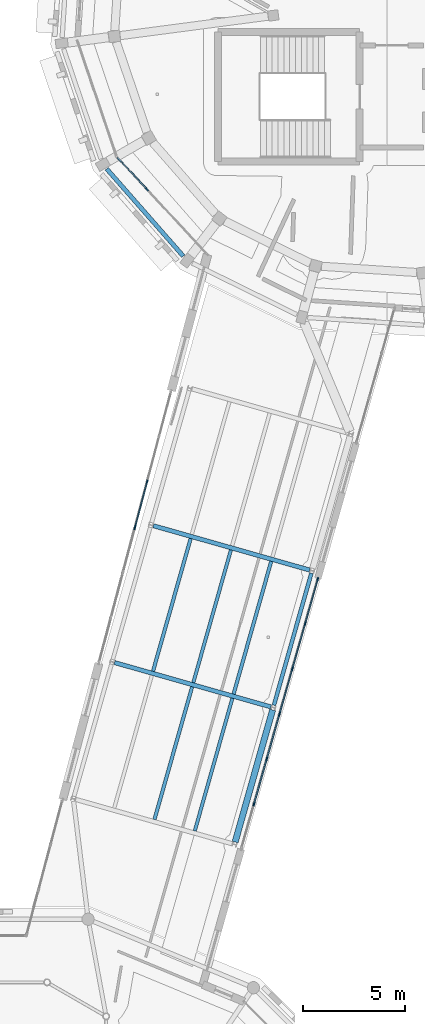
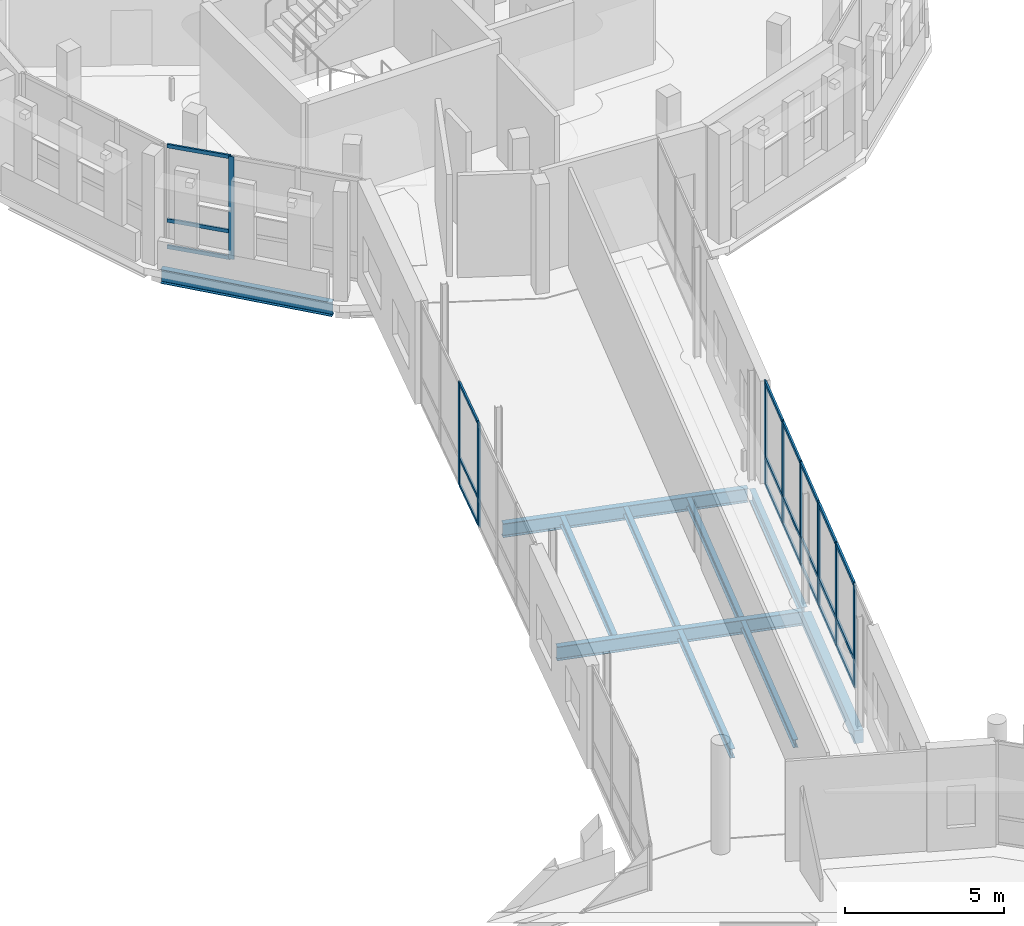
# One storey, part 61 of 125: 32 members, 10 beams, 5 elements without a shape of their own.
"""IFC4 building model written with IfcOpenShell, lengths in metres."""

import ifcopenshell
import ifcopenshell.guid

model = None  # the IFC model being written
_history = None  # IfcOwnerHistory: only IFC2X3 demands one
_inside = {}  # id of a spatial element -> (the spatial element, [elements in it])
_under = {}  # id of a project, library or spatial element -> (it, [spatial elements below it])
_declared = {}  # id of a project -> (the project, [libraries it declares])
_typed = {}  # id of a type object -> (the type object, [elements of that type])
_made_of = {}  # id of a material, layer set ... -> (it, [elements and type objects made of it])


def new_model(schema):
    """Start an empty IFC model of exactly this schema.

    Asked for "IFC4X3", IfcOpenShell would pick the latest addendum, in which some entities
    have other attributes; the version numbers below select the first issue.
    IFC2X3 requires an IfcOwnerHistory on every rooted entity: one is made here for all.
    """
    global model, _history
    if schema == "IFC4X3":
        model = ifcopenshell.file(schema_version=(4, 3, 0, 0))
    else:
        model = ifcopenshell.file(schema=schema)
    _inside.clear()
    _under.clear()
    _declared.clear()
    _typed.clear()
    _made_of.clear()
    _history = None
    if model.schema == "IFC2X3":
        org = make("IfcOrganization", Name="unknown")
        user = make(
            "IfcPersonAndOrganization",
            ThePerson=make("IfcPerson", FamilyName="unknown"),
            TheOrganization=org,
        )
        app = make(
            "IfcApplication",
            ApplicationDeveloper=org,
            Version="unknown",
            ApplicationFullName="unknown",
            ApplicationIdentifier="unknown",
        )
        _history = make(
            "IfcOwnerHistory",
            OwningUser=user,
            OwningApplication=app,
            ChangeAction="ADDED",
            CreationDate=0,
        )
    return model


def make(cls, **values):
    """One entity of the class cls with the attributes given. An attribute that is None is left unset."""
    return model.create_entity(
        cls, **{name: value for name, value in values.items() if value is not None}
    )


def rooted(cls, **values):
    """An entity with a GlobalId (a new one), such as an element, a storey or a relation."""
    return make(cls, GlobalId=ifcopenshell.guid.new(), OwnerHistory=_history, **values)


def si_unit(unit_type, name, prefix=None):
    """IfcSIUnit, for example si_unit("LENGTHUNIT", "METRE", prefix="MILLI")."""
    return make("IfcSIUnit", UnitType=unit_type, Prefix=prefix, Name=name)


def assignment(units):
    """IfcUnitAssignment: the units of a project."""
    return None if units is None else make("IfcUnitAssignment", Units=units)


def point(xyz):
    """IfcCartesianPoint."""
    return None if xyz is None else make("IfcCartesianPoint", Coordinates=xyz)


def direction(xyz):
    """IfcDirection."""
    return None if xyz is None else make("IfcDirection", DirectionRatios=xyz)


def frame(location, z_axis=None, x_axis=None):
    """IfcAxis2Placement3D, a coordinate frame: its origin and axes. An axis left out is left unset."""
    return make(
        "IfcAxis2Placement3D",
        Location=point(location),
        Axis=direction(z_axis),
        RefDirection=direction(x_axis),
    )


def frame_2d(location, x_axis=None):
    """IfcAxis2Placement2D, a coordinate frame in the plane: its origin and x axis."""
    return make(
        "IfcAxis2Placement2D", Location=point(location), RefDirection=direction(x_axis)
    )


def origin():
    """The frame at (0, 0, 0) with its axes left unset."""
    return frame((0.0, 0.0, 0.0))


def origin_2d():
    """The frame at (0, 0) in the plane with its x axis left unset."""
    return frame_2d((0.0, 0.0))


def place(relative_to, where):
    """IfcLocalPlacement: puts the frame where relative to a parent placement (None: the world)."""
    return make(
        "IfcLocalPlacement", PlacementRelTo=relative_to, RelativePlacement=where
    )


def context(
    kind, dimensions, precision=None, world=None, true_north=None, identifier=None
):
    """IfcGeometricRepresentationContext, for example the 3D "Model" context."""
    return make(
        "IfcGeometricRepresentationContext",
        ContextIdentifier=identifier,
        ContextType=kind,
        CoordinateSpaceDimension=dimensions,
        Precision=precision,
        WorldCoordinateSystem=world,
        TrueNorth=true_north,
    )


def subcontext(parent, identifier, kind, view, scale=None):
    """IfcGeometricRepresentationSubContext, for example "Body" below "Model"."""
    return make(
        "IfcGeometricRepresentationSubContext",
        ContextIdentifier=identifier,
        ContextType=kind,
        ParentContext=parent,
        TargetScale=scale,
        TargetView=view,
    )


def project(units=None, contexts=None):
    """IfcProject with its units and contexts."""
    return rooted(
        "IfcProject",
        Name="project",
        RepresentationContexts=contexts,
        UnitsInContext=assignment(units),
    )


def spatial(cls, under=None, at=None, **own):
    """A site, building, storey or space (cls), placed at a placement, below another one or the project."""
    s = rooted(cls, ObjectPlacement=at, **own)
    if under is not None:
        _under.setdefault(under.id(), (under, []))[1].append(s)
    return s


def profile(cls, at=None, kind="AREA", **sizes):
    """A parametric profile (cls). Its sizes go by their IFC names, for example OverallWidth=200.0."""
    return make(cls, ProfileType=kind, Position=at, **sizes)


def rectangle(**sizes):
    """IfcRectangleProfileDef."""
    return profile("IfcRectangleProfileDef", **sizes)


def i_section(**sizes):
    """IfcIShapeProfileDef."""
    return profile("IfcIShapeProfileDef", **sizes)


def extrude(swept, where, along, depth):
    """IfcExtrudedAreaSolid: the profile swept, set in the frame where, extruded along a direction by depth."""
    return make(
        "IfcExtrudedAreaSolid",
        SweptArea=swept,
        Position=where,
        ExtrudedDirection=direction(along),
        Depth=depth,
    )


def shape(context_of_items, identifier, shape_type, items):
    """IfcShapeRepresentation: the items that make up one representation, for example the "Body"."""
    return make(
        "IfcShapeRepresentation",
        ContextOfItems=context_of_items,
        RepresentationIdentifier=identifier,
        RepresentationType=shape_type,
        Items=items,
    )


def material(Name=None, Category=None):
    """IfcMaterial."""
    return make("IfcMaterial", Name=Name, Category=Category)


def material_profile(
    of_material, cross_section, Name=None, Category=None, Priority=None
):
    """IfcMaterialProfile: a cross section and its material."""
    return make(
        "IfcMaterialProfile",
        Name=Name,
        Material=of_material,
        Profile=cross_section,
        Priority=Priority,
        Category=Category,
    )


def profile_set(profiles, Name=None, composite=None):
    """IfcMaterialProfileSet."""
    return make(
        "IfcMaterialProfileSet",
        Name=Name,
        MaterialProfiles=profiles,
        CompositeProfile=composite,
    )


def made_of(thing, what):
    """Note that an element or type object is made of a material, layer set ...; save() writes the relation."""
    if what is not None:
        _made_of.setdefault(what.id(), (what, []))[1].append(thing)
    return thing


def type_object(cls, material=None, **own):
    """A type object (cls), such as IfcWallType, which elements share."""
    return made_of(rooted(cls, **own), material)


def element(
    cls,
    number,
    at=None,
    inside=None,
    cuts=None,
    type_object=None,
    material=None,
    context=None,
    identifier="Body",
    shape_type=None,
    held_by="IfcProductDefinitionShape",
    body=None,
    shapes=None,
    **own,
):
    """One element of the class cls, such as IfcWall. Its Tag is "e" and its number.

    at: its placement. inside: the storey or other place that contains it. cuts: it is an
    opening in that element (IfcRelVoidsElement). A single representation is given by context,
    identifier, shape_type and body (its items); several are given by shapes. held_by: the class
    of the entity that holds the representations. save() writes the other relations.
    """
    e = rooted(cls, Tag="e%d" % number, ObjectPlacement=at, **own)
    if body is not None:
        shapes = [shape(context, identifier, shape_type, body)]
    if shapes is not None:
        e.Representation = make(held_by, Representations=shapes)
    if inside is not None:
        _inside.setdefault(inside.id(), (inside, []))[1].append(e)
    if cuts is not None:
        rooted(
            "IfcRelVoidsElement", RelatingBuildingElement=cuts, RelatedOpeningElement=e
        )
    if type_object is not None:
        _typed.setdefault(type_object.id(), (type_object, []))[1].append(e)
    return made_of(e, material)


def aggregate(whole, parts):
    """IfcRelAggregates: a whole, such as a stair, and the parts it consists of."""
    return rooted("IfcRelAggregates", RelatingObject=whole, RelatedObjects=parts)


def save(model, path):
    """Write the relations noted so far, then the file.

    IfcRelAggregates (storeys below a building ...), IfcRelContainedInSpatialStructure (elements
    in a storey), IfcRelDefinesByType, IfcRelAssociatesMaterial and IfcRelDeclares: one each for
    every whole, place, type object, material and project.
    """
    for whole, parts in _under.values():
        aggregate(whole, parts)
    for where, things in _inside.values():
        rooted(
            "IfcRelContainedInSpatialStructure",
            RelatedElements=things,
            RelatingStructure=where,
        )
    for kind, things in _typed.values():
        rooted("IfcRelDefinesByType", RelatedObjects=things, RelatingType=kind)
    for what, things in _made_of.values():
        rooted("IfcRelAssociatesMaterial", RelatedObjects=things, RelatingMaterial=what)
    for by, libraries in _declared.values():
        rooted("IfcRelDeclares", RelatingContext=by, RelatedDefinitions=libraries)
    model.write(path)


model = new_model("IFC4")

# Units and contexts
model_context = context("Model", 3, precision=1e-05, world=origin(), true_north=direction((0.0, 1.0)))
body_context = subcontext(model_context, "Body", "Model", "MODEL_VIEW")
ifc_project = project(units=[si_unit("LENGTHUNIT", "METRE"), si_unit("AREAUNIT", "SQUARE_METRE"), si_unit("VOLUMEUNIT", "CUBIC_METRE"), si_unit("PLANEANGLEUNIT", "RADIAN"), si_unit("MASSUNIT", "GRAM", prefix="KILO")], contexts=[model_context])

# Site, building, storey
site_placement = place(None, origin())
site = spatial("IfcSite", under=ifc_project, at=site_placement, CompositionType="ELEMENT")
building_placement = place(site_placement, origin())
building = spatial("IfcBuilding", under=site, at=building_placement, Name="Wrenclough Park School", CompositionType="ELEMENT")
storey_placement = place(building_placement, frame((0.0, 0.0, 4.199951171875)))
storey = spatial("IfcBuildingStorey", under=building, at=storey_placement, Name="L01", CompositionType="ELEMENT", Elevation=4.199951171875)

# Curtain wall, members
ifc_material_1 = material(Name="Thermally broken aluminium and low-e glass curtain wall", Category="aluminium")
curtain_wall_type_1 = type_object("IfcCurtainWallType", Name="ENV-CW-13", PredefinedType="USERDEFINED", material=ifc_material_1)
curtain_wall_1_placement = place(storey_placement, origin())
curtain_wall_1 = element("IfcCurtainWall", 1, at=curtain_wall_1_placement, inside=storey, type_object=curtain_wall_type_1, Name="L01 recessed curtain wall assembly 156", ObjectType="CURTAIN WALL", PredefinedType="USERDEFINED")
ifc_material_2 = material(Name="Thermally broken anodised aluminium", Category="aluminium")
ifc_material_profile_1 = material_profile(ifc_material_2, rectangle(XDim=0.06005859375, YDim=0.159912109375, at=origin_2d()), Name="AL MULLION 60x160")
ifc_profile_set_1 = profile_set([ifc_material_profile_1], Name="Thermally broken anodised aluminium")
member_type_1 = type_object("IfcMemberType", Name="ENV-CWM-1", PredefinedType="MULLION", material=ifc_profile_set_1)
member_1_placement = place(storey_placement, frame((162.18603515625, 67.754638671875, 0.0), z_axis=(0.0, 0.0, 1.0), x_axis=(-0.966438093709, 0.256899612745, 0.0)))
member_1 = element("IfcMember", 2, at=member_1_placement, type_object=member_type_1, Name="CW-13 mullion 1", PredefinedType="MULLION", context=body_context, shape_type="SweptSolid", body=[
    extrude(rectangle(XDim=0.06005859375, YDim=0.159912109375, at=origin_2d()), origin(), (0.0, 0.0, 1.0), 3.93994140625),
])
member_2_placement = place(storey_placement, frame((162.7685546875, 69.9462890625, 0.0), z_axis=(0.0, 0.0, 1.0), x_axis=(-0.966438093709, 0.256899612745, 0.0)))
member_2 = element("IfcMember", 3, at=member_2_placement, type_object=member_type_1, Name="CW-13 mullion 2", PredefinedType="MULLION", context=body_context, shape_type="SweptSolid", body=[
    extrude(rectangle(XDim=0.06005859375, YDim=0.159912109375, at=origin_2d()), origin(), (0.0, 0.0, 1.0), 3.93994140625),
])

curtain_wall_type_2 = type_object("IfcCurtainWallType", Name="ENV-CW-10", PredefinedType="USERDEFINED", material=ifc_material_1)
curtain_wall_2_placement = place(storey_placement, origin())
curtain_wall_2 = element("IfcCurtainWall", 4, at=curtain_wall_2_placement, inside=storey, type_object=curtain_wall_type_2, Name="L01 recessed curtain wall assembly 121", ObjectType="CURTAIN WALL", PredefinedType="USERDEFINED")
ifc_material_profile_2 = material_profile(ifc_material_2, rectangle(XDim=0.06494140625, YDim=0.179931640625, at=origin_2d()), Name="AL MULLION 65x180")
ifc_profile_set_2 = profile_set([ifc_material_profile_2], Name="Thermally broken anodised aluminium")
member_type_2 = type_object("IfcMemberType", Name="ENV-CWM-2", PredefinedType="MULLION", material=ifc_profile_set_2)
member_3_placement = place(storey_placement, frame((171.122314453125, 65.167724609375, 0.0), z_axis=(0.0, 0.0, 1.0), x_axis=(0.962063363218, -0.272826107905, 0.0)))
member_3 = element("IfcMember", 5, at=member_3_placement, type_object=member_type_2, Name="CW-10 mullion 1", PredefinedType="MULLION", context=body_context, shape_type="SweptSolid", body=[
    extrude(rectangle(XDim=0.06494140625, YDim=0.179931640625, at=origin_2d()), origin(), (0.0, 0.0, 1.0), 3.93994140625),
])
member_4_placement = place(storey_placement, frame((170.50537109375, 62.992431640625, 0.0), z_axis=(0.0, 0.0, 1.0), x_axis=(0.962063363218, -0.272826107905, 0.0)))
member_4 = element("IfcMember", 6, at=member_4_placement, type_object=member_type_2, Name="CW-10 mullion 2", PredefinedType="MULLION", context=body_context, shape_type="SweptSolid", body=[
    extrude(rectangle(XDim=0.06494140625, YDim=0.179931640625, at=origin_2d()), origin(), (0.0, 0.0, 1.0), 3.93994140625),
])
member_5_placement = place(storey_placement, frame((169.879638671875, 60.785888671875, 0.0), z_axis=(0.0, 0.0, 1.0), x_axis=(0.962063363218, -0.272826107905, 0.0)))
member_5 = element("IfcMember", 7, at=member_5_placement, type_object=member_type_2, Name="CW-10 mullion 3", PredefinedType="MULLION", context=body_context, shape_type="SweptSolid", body=[
    extrude(rectangle(XDim=0.06494140625, YDim=0.179931640625, at=origin_2d()), origin(), (0.0, 0.0, 1.0), 3.93994140625),
])
member_6_placement = place(storey_placement, frame((169.2626953125, 58.6103515625, 0.0), z_axis=(0.0, 0.0, 1.0), x_axis=(0.962063363218, -0.272826107905, 0.0)))
member_6 = element("IfcMember", 8, at=member_6_placement, type_object=member_type_2, Name="CW-10 mullion 4", PredefinedType="MULLION", context=body_context, shape_type="SweptSolid", body=[
    extrude(rectangle(XDim=0.06494140625, YDim=0.179931640625, at=origin_2d()), origin(), (0.0, 0.0, 1.0), 3.93994140625),
])

# Curtain wall, member
curtain_wall_type_3 = type_object("IfcCurtainWallType", Name="ENV-CW-14", PredefinedType="USERDEFINED", material=ifc_material_1)
curtain_wall_3_placement = place(storey_placement, origin())
curtain_wall_3 = element("IfcCurtainWall", 9, at=curtain_wall_3_placement, inside=storey, type_object=curtain_wall_type_3, Name="L01 recessed curtain wall assembly 157", ObjectType="CURTAIN WALL", PredefinedType="USERDEFINED")
member_7_placement = place(storey_placement, frame((162.754638671875, 84.26025390625, 0.0), z_axis=(0.0, 0.0, 1.0), x_axis=(-0.733012925047, -0.68021471001, 0.0)))
member_7 = element("IfcMember", 10, at=member_7_placement, type_object=member_type_2, Name="CW-14 mullion 3", PredefinedType="MULLION", context=body_context, shape_type="SweptSolid", body=[
    extrude(rectangle(XDim=0.06494140625, YDim=0.179931640625, at=origin_2d()), origin(), (0.0, 0.0, 1.0), 3.93994140625),
])

# Curtain wall, members
curtain_wall_type_4 = type_object("IfcCurtainWallType", Name="ENV-CW-11", PredefinedType="USERDEFINED", material=ifc_material_1)
curtain_wall_4_placement = place(storey_placement, origin())
curtain_wall_4 = element("IfcCurtainWall", 11, at=curtain_wall_4_placement, inside=storey, type_object=curtain_wall_type_4, Name="L01 recessed curtain wall assembly 122", ObjectType="CURTAIN WALL", PredefinedType="USERDEFINED")
ifc_material_profile_3 = material_profile(ifc_material_2, rectangle(XDim=0.070068359375, YDim=0.199951171875, at=origin_2d()), Name="AL MULLION 70x200")
ifc_profile_set_3 = profile_set([ifc_material_profile_3], Name="Thermally broken anodised aluminium")
member_type_3 = type_object("IfcMemberType", Name="ENV-CWM-3", PredefinedType="MULLION", material=ifc_profile_set_3)
member_8_placement = place(storey_placement, frame((169.241943359375, 58.537841796875, 0.0), z_axis=(0.0, 0.0, 1.0), x_axis=(0.96206825929, -0.272808842354, 0.0)))
member_8 = element("IfcMember", 12, at=member_8_placement, type_object=member_type_3, Name="CW-11 mullion 1", PredefinedType="MULLION", context=body_context, shape_type="SweptSolid", body=[
    extrude(rectangle(XDim=0.070068359375, YDim=0.199951171875, at=origin_2d()), origin(), (0.0, 0.0, 1.0), 3.93994140625),
])
member_9_placement = place(storey_placement, frame((168.6259765625, 56.364990234375, 0.0), z_axis=(0.0, 0.0, 1.0), x_axis=(0.96206825929, -0.272808842354, 0.0)))
member_9 = element("IfcMember", 13, at=member_9_placement, type_object=member_type_3, Name="CW-11 mullion 2", PredefinedType="MULLION", context=body_context, shape_type="SweptSolid", body=[
    extrude(rectangle(XDim=0.070068359375, YDim=0.199951171875, at=origin_2d()), origin(), (0.0, 0.0, 1.0), 3.93994140625),
])
member_10_placement = place(storey_placement, frame((168.000244140625, 54.158203125, 0.0), z_axis=(0.0, 0.0, 1.0), x_axis=(0.96206825929, -0.272808842354, 0.0)))
member_10 = element("IfcMember", 14, at=member_10_placement, type_object=member_type_3, Name="CW-11 mullion 3", PredefinedType="MULLION", context=body_context, shape_type="SweptSolid", body=[
    extrude(rectangle(XDim=0.070068359375, YDim=0.199951171875, at=origin_2d()), origin(), (0.0, 0.0, 1.0), 3.93994140625),
])

# Curtain wall, member
curtain_wall_type_5 = type_object("IfcCurtainWallType", Name="ENV-CW-12", PredefinedType="USERDEFINED", material=ifc_material_1)
curtain_wall_5_placement = place(storey_placement, origin())
curtain_wall_5 = element("IfcCurtainWall", 15, at=curtain_wall_5_placement, inside=storey, type_object=curtain_wall_type_5, Name="L01 recessed curtain wall assembly 155", ObjectType="CURTAIN WALL", PredefinedType="USERDEFINED")
member_11_placement = place(storey_placement, frame((162.167236328125, 67.68408203125, 0.0), z_axis=(0.0, 0.0, 1.0), x_axis=(-0.96644265261, 0.256882461871, 0.0)))
member_11 = element("IfcMember", 16, at=member_11_placement, type_object=member_type_3, Name="CW-12 mullion 4", PredefinedType="MULLION", context=body_context, shape_type="SweptSolid", body=[
    extrude(rectangle(XDim=0.070068359375, YDim=0.199951171875, at=origin_2d()), origin(), (0.0, 0.0, 1.0), 3.93994140625),
])
aggregate(curtain_wall_5, [member_11])

# Member
ifc_material_profile_4 = material_profile(ifc_material_2, rectangle(XDim=0.06005859375, YDim=0.1201171875, at=origin_2d()), Name="AL TRANSOM 60x120")
ifc_profile_set_4 = profile_set([ifc_material_profile_4], Name="Thermally broken anodised aluminium")
member_type_4 = type_object("IfcMemberType", Name="ENV-CWT-1", PredefinedType="USERDEFINED", material=ifc_profile_set_4)
member_12_placement = place(storey_placement, frame((162.193603515625, 67.78369140625, 0.030029296875), z_axis=(0.257001827584, 0.966410917063, 0.0), x_axis=(-0.966410917063, 0.257001827584, 0.0)))
member_12 = element("IfcMember", 17, at=member_12_placement, type_object=member_type_4, Name="CW-13 transom 1.1", ObjectType="TRANSOM", PredefinedType="USERDEFINED", context=body_context, shape_type="SweptSolid", body=[
    extrude(rectangle(XDim=0.06005859375, YDim=0.1201171875, at=origin_2d()), origin(), (0.0, 0.0, 1.0), 2.207763671875),
])

member_13_placement = place(storey_placement, frame((162.193603515625, 67.78369140625, 1.050048828125), z_axis=(0.257001827584, 0.966410917063, 0.0), x_axis=(-0.966410917063, 0.257001827584, 0.0)))
member_13 = element("IfcMember", 18, at=member_13_placement, type_object=member_type_4, Name="CW-13 transom 1.2", ObjectType="TRANSOM", PredefinedType="USERDEFINED", context=body_context, shape_type="SweptSolid", body=[
    extrude(rectangle(XDim=0.06005859375, YDim=0.1201171875, at=origin_2d()), origin(), (0.0, 0.0, 1.0), 2.207763671875),
])

member_14_placement = place(storey_placement, frame((162.193603515625, 67.78369140625, 3.91015625), z_axis=(0.257001827584, 0.966410917063, 0.0), x_axis=(-0.966410917063, 0.257001827584, 0.0)))
member_14 = element("IfcMember", 19, at=member_14_placement, type_object=member_type_4, Name="CW-13 transom 1.3", ObjectType="TRANSOM", PredefinedType="USERDEFINED", context=body_context, shape_type="SweptSolid", body=[
    extrude(rectangle(XDim=0.06005859375, YDim=0.1201171875, at=origin_2d()), origin(), (0.0, 0.0, 1.0), 2.207763671875),
])

aggregate(curtain_wall_1, [member_1, member_2, member_12, member_13, member_14])

ifc_material_profile_5 = material_profile(ifc_material_2, rectangle(XDim=0.06494140625, YDim=0.139892578125, at=origin_2d()), Name="AL TRANSOM 65x140")
ifc_profile_set_5 = profile_set([ifc_material_profile_5], Name="Thermally broken anodised aluminium")
member_type_5 = type_object("IfcMemberType", Name="ENV-CWT-2", PredefinedType="USERDEFINED", material=ifc_profile_set_5)
member_15_placement = place(storey_placement, frame((171.11328125, 65.136474609375, 0.032470703125), z_axis=(-0.27281181422, -0.962067416568, 0.0), x_axis=(0.962067416568, -0.27281181422, 0.0)))
member_15 = element("IfcMember", 20, at=member_15_placement, type_object=member_type_5, Name="CW-10 transom 1.1", ObjectType="TRANSOM", PredefinedType="USERDEFINED", context=body_context, shape_type="SweptSolid", body=[
    extrude(rectangle(XDim=0.06494140625, YDim=0.139892578125, at=origin_2d()), origin(), (0.0, 0.0, 1.0), 2.196044921875),
])

member_16_placement = place(storey_placement, frame((171.11328125, 65.136474609375, 1.050048828125), z_axis=(-0.27281181422, -0.962067416568, 0.0), x_axis=(0.962067416568, -0.27281181422, 0.0)))
member_16 = element("IfcMember", 21, at=member_16_placement, type_object=member_type_5, Name="CW-10 transom 1.2", ObjectType="TRANSOM", PredefinedType="USERDEFINED", context=body_context, shape_type="SweptSolid", body=[
    extrude(rectangle(XDim=0.06494140625, YDim=0.139892578125, at=origin_2d()), origin(), (0.0, 0.0, 1.0), 2.196044921875),
])

member_17_placement = place(storey_placement, frame((171.11328125, 65.136474609375, 3.907470703125), z_axis=(-0.27281181422, -0.962067416568, 0.0), x_axis=(0.962067416568, -0.27281181422, 0.0)))
member_17 = element("IfcMember", 22, at=member_17_placement, type_object=member_type_5, Name="CW-10 transom 1.3", ObjectType="TRANSOM", PredefinedType="USERDEFINED", context=body_context, shape_type="SweptSolid", body=[
    extrude(rectangle(XDim=0.06494140625, YDim=0.139892578125, at=origin_2d()), origin(), (0.0, 0.0, 1.0), 2.196044921875),
])

member_18_placement = place(storey_placement, frame((170.49658203125, 62.961181640625, 0.032470703125), z_axis=(-0.272883119953, -0.962047193668, 0.0), x_axis=(0.962047193668, -0.272883119953, 0.0)))
member_18 = element("IfcMember", 23, at=member_18_placement, type_object=member_type_5, Name="CW-10 transom 2.1", ObjectType="TRANSOM", PredefinedType="USERDEFINED", context=body_context, shape_type="SweptSolid", body=[
    extrude(rectangle(XDim=0.06494140625, YDim=0.139892578125, at=origin_2d()), origin(), (0.0, 0.0, 1.0), 2.228515625),
])

member_19_placement = place(storey_placement, frame((170.49658203125, 62.961181640625, 1.050048828125), z_axis=(-0.272883119953, -0.962047193668, 0.0), x_axis=(0.962047193668, -0.272883119953, 0.0)))
member_19 = element("IfcMember", 24, at=member_19_placement, type_object=member_type_5, Name="CW-10 transom 2.2", ObjectType="TRANSOM", PredefinedType="USERDEFINED", context=body_context, shape_type="SweptSolid", body=[
    extrude(rectangle(XDim=0.06494140625, YDim=0.139892578125, at=origin_2d()), origin(), (0.0, 0.0, 1.0), 2.228515625),
])

member_20_placement = place(storey_placement, frame((170.49658203125, 62.961181640625, 3.907470703125), z_axis=(-0.272883119953, -0.962047193668, 0.0), x_axis=(0.962047193668, -0.272883119953, 0.0)))
member_20 = element("IfcMember", 25, at=member_20_placement, type_object=member_type_5, Name="CW-10 transom 2.3", ObjectType="TRANSOM", PredefinedType="USERDEFINED", context=body_context, shape_type="SweptSolid", body=[
    extrude(rectangle(XDim=0.06494140625, YDim=0.139892578125, at=origin_2d()), origin(), (0.0, 0.0, 1.0), 2.228515625),
])

member_21_placement = place(storey_placement, frame((169.87060546875, 60.754638671875, 0.032470703125), z_axis=(-0.27281181422, -0.962067416568, 0.0), x_axis=(0.962067416568, -0.27281181422, 0.0)))
member_21 = element("IfcMember", 26, at=member_21_placement, type_object=member_type_5, Name="CW-10 transom 3.1", ObjectType="TRANSOM", PredefinedType="USERDEFINED", context=body_context, shape_type="SweptSolid", body=[
    extrude(rectangle(XDim=0.06494140625, YDim=0.139892578125, at=origin_2d()), origin(), (0.0, 0.0, 1.0), 2.196044921875),
])

member_22_placement = place(storey_placement, frame((169.87060546875, 60.754638671875, 1.050048828125), z_axis=(-0.27281181422, -0.962067416568, 0.0), x_axis=(0.962067416568, -0.27281181422, 0.0)))
member_22 = element("IfcMember", 27, at=member_22_placement, type_object=member_type_5, Name="CW-10 transom 3.2", ObjectType="TRANSOM", PredefinedType="USERDEFINED", context=body_context, shape_type="SweptSolid", body=[
    extrude(rectangle(XDim=0.06494140625, YDim=0.139892578125, at=origin_2d()), origin(), (0.0, 0.0, 1.0), 2.196044921875),
])

member_23_placement = place(storey_placement, frame((169.87060546875, 60.754638671875, 3.907470703125), z_axis=(-0.27281181422, -0.962067416568, 0.0), x_axis=(0.962067416568, -0.27281181422, 0.0)))
member_23 = element("IfcMember", 28, at=member_23_placement, type_object=member_type_5, Name="CW-10 transom 3.3", ObjectType="TRANSOM", PredefinedType="USERDEFINED", context=body_context, shape_type="SweptSolid", body=[
    extrude(rectangle(XDim=0.06494140625, YDim=0.139892578125, at=origin_2d()), origin(), (0.0, 0.0, 1.0), 2.196044921875),
])

aggregate(curtain_wall_2, [member_3, member_4, member_5, member_6, member_15, member_16, member_17, member_18, member_19, member_20, member_21, member_22, member_23])

member_24_placement = place(storey_placement, frame((162.732666015625, 84.283935546875, 0.032470703125), z_axis=(-0.680239750167, 0.732989687712, 0.0), x_axis=(-0.732989687712, -0.680239750167, 0.0)))
member_24 = element("IfcMember", 29, at=member_24_placement, type_object=member_type_5, Name="CW-14 transom 3.1", ObjectType="TRANSOM", PredefinedType="USERDEFINED", context=body_context, shape_type="SweptSolid", body=[
    extrude(rectangle(XDim=0.06494140625, YDim=0.139892578125, at=origin_2d()), origin(), (0.0, 0.0, 1.0), 2.082763671875),
])

member_25_placement = place(storey_placement, frame((162.732666015625, 84.283935546875, 1.050048828125), z_axis=(-0.680239750167, 0.732989687712, 0.0), x_axis=(-0.732989687712, -0.680239750167, 0.0)))
member_25 = element("IfcMember", 30, at=member_25_placement, type_object=member_type_5, Name="CW-14 transom 3.2", ObjectType="TRANSOM", PredefinedType="USERDEFINED", context=body_context, shape_type="SweptSolid", body=[
    extrude(rectangle(XDim=0.06494140625, YDim=0.139892578125, at=origin_2d()), origin(), (0.0, 0.0, 1.0), 2.082763671875),
])

member_26_placement = place(storey_placement, frame((162.732666015625, 84.283935546875, 3.907470703125), z_axis=(-0.680239750167, 0.732989687712, 0.0), x_axis=(-0.732989687712, -0.680239750167, 0.0)))
member_26 = element("IfcMember", 31, at=member_26_placement, type_object=member_type_5, Name="CW-14 transom 3.3", ObjectType="TRANSOM", PredefinedType="USERDEFINED", context=body_context, shape_type="SweptSolid", body=[
    extrude(rectangle(XDim=0.06494140625, YDim=0.139892578125, at=origin_2d()), origin(), (0.0, 0.0, 1.0), 2.082763671875),
])

aggregate(curtain_wall_3, [member_7, member_24, member_25, member_26])

ifc_material_profile_6 = material_profile(ifc_material_2, rectangle(XDim=0.070068359375, YDim=0.14990234375, at=origin_2d()), Name="AL TRANSOM 70x150")
ifc_profile_set_6 = profile_set([ifc_material_profile_6], Name="Thermally broken anodised aluminium")
member_type_6 = type_object("IfcMemberType", Name="ENV-CWT-3", PredefinedType="USERDEFINED", material=ifc_profile_set_6)
member_27_placement = place(storey_placement, frame((169.232421875, 58.504150390625, 0.03515625), z_axis=(-0.272760913784, -0.962081848863, 0.0), x_axis=(0.962081848863, -0.272760913784, 0.0)))
member_27 = element("IfcMember", 32, at=member_27_placement, type_object=member_type_6, Name="CW-11 transom 1.1", ObjectType="TRANSOM", PredefinedType="USERDEFINED", context=body_context, shape_type="SweptSolid", body=[
    extrude(rectangle(XDim=0.070068359375, YDim=0.14990234375, at=origin_2d()), origin(), (0.0, 0.0, 1.0), 2.1884765625),
])

member_28_placement = place(storey_placement, frame((169.232421875, 58.504150390625, 1.050048828125), z_axis=(-0.272760913784, -0.962081848863, 0.0), x_axis=(0.962081848863, -0.272760913784, 0.0)))
member_28 = element("IfcMember", 33, at=member_28_placement, type_object=member_type_6, Name="CW-11 transom 1.2", ObjectType="TRANSOM", PredefinedType="USERDEFINED", context=body_context, shape_type="SweptSolid", body=[
    extrude(rectangle(XDim=0.070068359375, YDim=0.14990234375, at=origin_2d()), origin(), (0.0, 0.0, 1.0), 2.1884765625),
])

member_29_placement = place(storey_placement, frame((169.232421875, 58.504150390625, 3.905029296875), z_axis=(-0.272760913784, -0.962081848863, 0.0), x_axis=(0.962081848863, -0.272760913784, 0.0)))
member_29 = element("IfcMember", 34, at=member_29_placement, type_object=member_type_6, Name="CW-11 transom 1.3", ObjectType="TRANSOM", PredefinedType="USERDEFINED", context=body_context, shape_type="SweptSolid", body=[
    extrude(rectangle(XDim=0.070068359375, YDim=0.14990234375, at=origin_2d()), origin(), (0.0, 0.0, 1.0), 2.1884765625),
])

member_30_placement = place(storey_placement, frame((168.6162109375, 56.331298828125, 0.03515625), z_axis=(-0.272719446868, -0.96209360423, 0.0), x_axis=(0.96209360423, -0.272719446868, 0.0)))
member_30 = element("IfcMember", 35, at=member_30_placement, type_object=member_type_6, Name="CW-11 transom 2.1", ObjectType="TRANSOM", PredefinedType="USERDEFINED", context=body_context, shape_type="SweptSolid", body=[
    extrude(rectangle(XDim=0.070068359375, YDim=0.14990234375, at=origin_2d()), origin(), (0.0, 0.0, 1.0), 2.2236328125),
])

member_31_placement = place(storey_placement, frame((168.6162109375, 56.331298828125, 1.050048828125), z_axis=(-0.272719446868, -0.96209360423, 0.0), x_axis=(0.96209360423, -0.272719446868, 0.0)))
member_31 = element("IfcMember", 36, at=member_31_placement, type_object=member_type_6, Name="CW-11 transom 2.2", ObjectType="TRANSOM", PredefinedType="USERDEFINED", context=body_context, shape_type="SweptSolid", body=[
    extrude(rectangle(XDim=0.070068359375, YDim=0.14990234375, at=origin_2d()), origin(), (0.0, 0.0, 1.0), 2.2236328125),
])

member_32_placement = place(storey_placement, frame((168.6162109375, 56.331298828125, 3.905029296875), z_axis=(-0.272719446868, -0.96209360423, 0.0), x_axis=(0.96209360423, -0.272719446868, 0.0)))
member_32 = element("IfcMember", 37, at=member_32_placement, type_object=member_type_6, Name="CW-11 transom 2.3", ObjectType="TRANSOM", PredefinedType="USERDEFINED", context=body_context, shape_type="SweptSolid", body=[
    extrude(rectangle(XDim=0.070068359375, YDim=0.14990234375, at=origin_2d()), origin(), (0.0, 0.0, 1.0), 2.2236328125),
])

aggregate(curtain_wall_4, [member_8, member_9, member_10, member_27, member_28, member_29, member_30, member_31, member_32])

# Beams
ifc_material_3 = material(Name="Concrete C32/40", Category="concrete")
ifc_material_profile_7 = material_profile(ifc_material_3, rectangle(XDim=0.300048828125, YDim=0.5, at=origin_2d()), Name="RC BEAM 300x500")
ifc_profile_set_7 = profile_set([ifc_material_profile_7], Name="Concrete C32/40")
beam_type_1 = type_object("IfcBeamType", Name="STR-BM-RC300", PredefinedType="BEAM", material=ifc_profile_set_7)
beam_1_placement = place(storey_placement, frame((167.077880859375, 52.299072265625, -0.489990234375), z_axis=(0.272815567907, 0.962066352134, 0.0), x_axis=(-0.962066352134, 0.272815567907, 0.0)))
element("IfcBeam", 38, at=beam_1_placement, inside=storey, type_object=beam_type_1, Name="W14 L01 longitudinal edge beam R1", PredefinedType="BEAM", context=body_context, shape_type="SweptSolid", body=[
    extrude(rectangle(XDim=0.300048828125, YDim=0.5, at=origin_2d()), origin(), (0.0, 0.0, 1.0), 6.7197265625),
])
ifc_material_4 = material(Name="Structural steel S355", Category="steel")
ifc_material_profile_8 = material_profile(ifc_material_4, i_section(OverallWidth=0.1650390625, OverallDepth=0.303466796875, WebThickness=0.006103515625, FlangeThickness=0.01025390625, FilletRadius=0.0087890625, at=origin_2d()), Name="UKB 305x165x40")
ifc_profile_set_8 = profile_set([ifc_material_profile_8], Name="Structural steel S355")
beam_type_2 = type_object("IfcBeamType", Name="STR-BM-UKB305", PredefinedType="JOIST", material=ifc_profile_set_8)
for number, where, z_axis, x_axis, name in (
    (39, (165.100830078125, 52.84130859375, -0.3916015625), (0.272801632395, 0.962070303753, 0.0), (-0.962070303753, 0.272801632395, 0.0), "W14 L01 secondary floor joist 0063"),
    (40, (165.028564453125, 60.1005859375, -0.3916015625), (0.272801632395, 0.962070303753, 0.0), (-0.962070303753, 0.272801632395, 0.0), "W14 L01 secondary floor joist 0065"),
):
    element("IfcBeam", number, at=place(storey_placement, frame(where, z_axis=z_axis, x_axis=x_axis)), inside=storey, type_object=beam_type_2, Name=name, PredefinedType="JOIST", context=body_context, shape_type="SweptSolid", body=[
        extrude(i_section(OverallWidth=0.1650390625, OverallDepth=0.303466796875, WebThickness=0.006103515625, FlangeThickness=0.01025390625, FilletRadius=0.0087890625, at=origin_2d()), origin(), (0.0, 0.0, 1.0), 6.7548828125),
    ])
ifc_material_profile_9 = material_profile(ifc_material_4, i_section(OverallWidth=0.17138671875, OverallDepth=0.35498046875, WebThickness=0.00732421875, FlangeThickness=0.011474609375, FilletRadius=0.01025390625, at=origin_2d()), Name="UKB 356x171x51")
ifc_profile_set_9 = profile_set([ifc_material_profile_9], Name="Structural steel S355")
beam_type_3 = type_object("IfcBeamType", Name="STR-BM-UKB356", PredefinedType="JOIST", material=ifc_profile_set_9)
for number, where, z_axis, x_axis, name in (
    (41, (163.128662109375, 53.400634765625, -0.41748046875), (0.272801632395, 0.962070303753, 0.0), (-0.962070303753, 0.272801632395, 0.0), "W14 L01 secondary floor joist 0062"),
    (42, (163.056396484375, 60.659912109375, -0.41748046875), (0.272801632395, 0.962070303753, 0.0), (-0.962070303753, 0.272801632395, 0.0), "W14 L01 secondary floor joist 0064"),
    (43, (167.000732421875, 59.54150390625, -0.41748046875), (0.27284457139, 0.962058127071, 0.0), (-0.962058127071, 0.27284457139, 0.0), "W14 L01 secondary floor joist 0066"),
):
    element("IfcBeam", number, at=place(storey_placement, frame(where, z_axis=z_axis, x_axis=x_axis)), inside=storey, type_object=beam_type_3, Name=name, PredefinedType="JOIST", context=body_context, shape_type="SweptSolid", body=[
        extrude(i_section(OverallWidth=0.17138671875, OverallDepth=0.35498046875, WebThickness=0.00732421875, FlangeThickness=0.011474609375, FilletRadius=0.01025390625, at=origin_2d()), origin(), (0.0, 0.0, 1.0), 6.7548828125),
    ])
ifc_material_profile_10 = material_profile(ifc_material_4, i_section(OverallWidth=0.18994140625, OverallDepth=0.453369140625, WebThickness=0.008544921875, FlangeThickness=0.0126953125, FilletRadius=0.01025390625, at=origin_2d()), Name="UKB 457x191x67")
ifc_profile_set_10 = profile_set([ifc_material_profile_10], Name="Structural steel S355")
beam_type_4 = type_object("IfcBeamType", Name="STR-BM-UKB457A", PredefinedType="BEAM", material=ifc_profile_set_10)
beam_2_placement = place(storey_placement, frame((168.977783203125, 58.9990234375, -0.466552734375), z_axis=(0.272849195102, 0.962056815751, 0.0), x_axis=(-0.962056815751, 0.272849195102, 0.0)))
element("IfcBeam", 44, at=beam_2_placement, inside=storey, type_object=beam_type_4, Name="W14 L01 longitudinal edge beam R2", PredefinedType="BEAM", context=body_context, shape_type="SweptSolid", body=[
    extrude(i_section(OverallWidth=0.18994140625, OverallDepth=0.453369140625, WebThickness=0.008544921875, FlangeThickness=0.0126953125, FilletRadius=0.01025390625, at=origin_2d()), origin(), (0.0, 0.0, 1.0), 6.7197265625),
])
ifc_material_profile_11 = material_profile(ifc_material_4, i_section(OverallWidth=0.209228515625, OverallDepth=0.533203125, WebThickness=0.010009765625, FlangeThickness=0.015625, FilletRadius=0.0126953125, at=origin_2d()), Name="UKB 533x210x92")
ifc_profile_set_11 = profile_set([ifc_material_profile_11], Name="Structural steel S355")
beam_type_5 = type_object("IfcBeamType", Name="STR-BM-UKB533A", PredefinedType="BEAM", material=ifc_profile_set_11)
for number, where, z_axis, x_axis, name in (
    (45, (161.173095703125, 61.085205078125, -0.506591796875), (0.962066336925, -0.272815621539, 0.0), (0.272815621539, 0.962066336925, 0.0), "W14 L01 transverse floor beam 2"),
    (46, (163.072998046875, 67.785400390625, -0.506591796875), (0.962058282015, -0.272844025052, 0.0), (0.272844025052, 0.962058282015, 0.0), "W14 L01 transverse floor beam 3"),
):
    element("IfcBeam", number, at=place(storey_placement, frame(where, z_axis=z_axis, x_axis=x_axis)), inside=storey, type_object=beam_type_5, Name=name, PredefinedType="BEAM", context=body_context, shape_type="SweptSolid", body=[
        extrude(i_section(OverallWidth=0.209228515625, OverallDepth=0.533203125, WebThickness=0.010009765625, FlangeThickness=0.015625, FilletRadius=0.0126953125, at=origin_2d()), origin(), (0.0, 0.0, 1.0), 7.95556640625),
    ])
ifc_material_profile_12 = material_profile(ifc_material_4, i_section(OverallWidth=0.210693359375, OverallDepth=0.53955078125, WebThickness=0.01171875, FlangeThickness=0.018798828125, FilletRadius=0.0126953125, at=origin_2d()), Name="UKB 533x210x109")
ifc_profile_set_12 = profile_set([ifc_material_profile_12], Name="Structural steel S355")
beam_type_6 = type_object("IfcBeamType", Name="STR-BM-UKB533B", PredefinedType="SPANDREL", material=ifc_profile_set_12)
beam_3_placement = place(storey_placement, frame((160.790283203125, 85.258544921875, -0.53466796875), z_axis=(0.659330966856, -0.75185282878, 0.0), x_axis=(0.75185282878, 0.659330966856, 0.0)))
element("IfcBeam", 47, at=beam_3_placement, inside=storey, type_object=beam_type_6, Name="D5 L01 outer ring spandrel beam 10", PredefinedType="SPANDREL", context=body_context, shape_type="SweptSolid", body=[
    extrude(i_section(OverallWidth=0.210693359375, OverallDepth=0.53955078125, WebThickness=0.01171875, FlangeThickness=0.018798828125, FilletRadius=0.0126953125, at=origin_2d()), origin(), (0.0, 0.0, 1.0), 5.6865234375),
])

save(model, "model.ifc")
